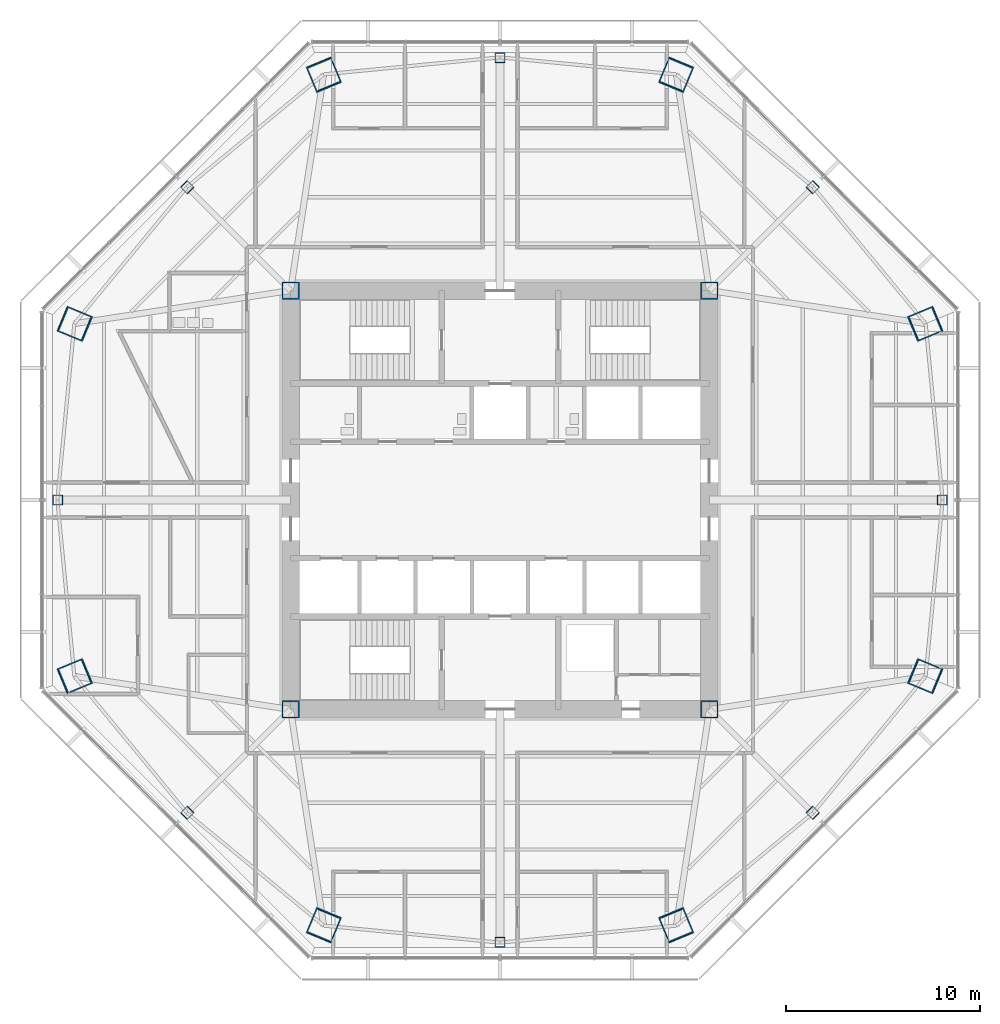
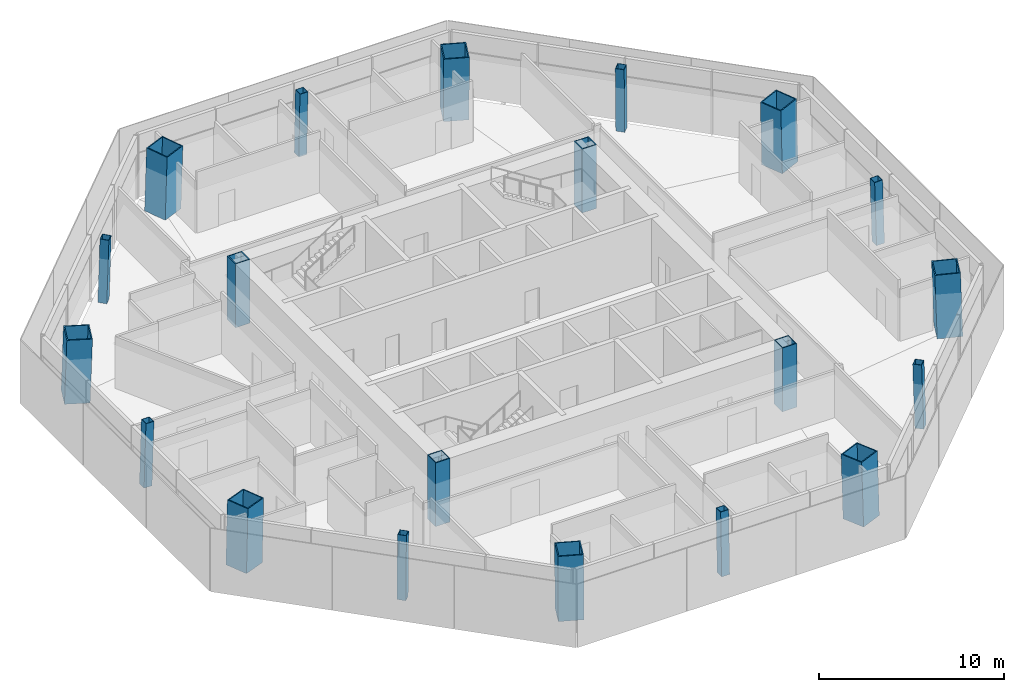
# One storey, part 1 of 15: 20 columns.
"""IFC4 building model written with IfcOpenShell, lengths in metres."""

from ifc_helpers import new_model, si_unit, direction, frame, origin, origin_2d, place, context, subcontext, project, spatial, hollow_rectangle, extrude, material, material_profile, profile_set, type_object, element, save


model = new_model("IFC4")

# Units and contexts
model_context = context("Model", 3, precision=1e-05, world=origin(), true_north=direction((0.0, 1.0)))
body_context = subcontext(model_context, "Body", "Model", "MODEL_VIEW")
ifc_project = project(units=[si_unit("LENGTHUNIT", "METRE"), si_unit("AREAUNIT", "SQUARE_METRE"), si_unit("VOLUMEUNIT", "CUBIC_METRE"), si_unit("PLANEANGLEUNIT", "RADIAN"), si_unit("MASSUNIT", "GRAM", prefix="KILO")], contexts=[model_context])

# Site, building, storey
site_placement = place(None, origin())
site = spatial("IfcSite", under=ifc_project, at=site_placement, CompositionType="ELEMENT")
building_placement = place(site_placement, origin())
building = spatial("IfcBuilding", under=site, at=building_placement, Name="Mashrafa Tower", CompositionType="ELEMENT")
storey_placement = place(building_placement, frame((0.0, 0.0, 155.39990234375)))
storey = spatial("IfcBuildingStorey", under=building, at=storey_placement, Name="L35", CompositionType="ELEMENT", Elevation=155.39990234375)

# Columns
ifc_material_1 = material(Name="Steel ASTM A572 Gr 50", Category="steel")
ifc_material_profile_1 = material_profile(ifc_material_1, hollow_rectangle(XDim=0.89990234375, YDim=0.89990234375, WallThickness=0.06005859375, at=origin_2d()), Name="BOX900X900X60")
ifc_profile_set_1 = profile_set([ifc_material_profile_1], Name="Steel ASTM A572 Gr 50")
column_type_1 = type_object("IfcColumnType", Name="Core corner column BOX900X900X60", PredefinedType="COLUMN", material=ifc_profile_set_1)
for number, where, z_axis, x_axis, name in (
    (1, (10.800048828125, 10.800048828125, 0.0), (0.0, 0.0, 1.0), (1.0, 0.0, 0.0), "Core corner column CC-NE L35"),
    (2, (-10.800048828125, 10.800048828125, 0.0), (0.0, 0.0, 1.0), (1.0, 0.0, 0.0), "Core corner column CC-NW L35"),
    (3, (-10.800048828125, -10.800048828125, 0.0), (0.0, 0.0, 1.0), (1.0, 0.0, 0.0), "Core corner column CC-SW L35"),
    (4, (10.800048828125, -10.800048828125, 0.0), (0.0, 0.0, 1.0), (1.0, 0.0, 0.0), "Core corner column CC-SE L35"),
):
    element("IfcColumn", number, at=place(storey_placement, frame(where, z_axis=z_axis, x_axis=x_axis)), inside=storey, type_object=column_type_1, Name=name, PredefinedType="COLUMN", context=body_context, shape_type="SweptSolid", body=[
        extrude(hollow_rectangle(XDim=0.89990234375, YDim=0.89990234375, WallThickness=0.06005859375, at=origin_2d()), origin(), (0.0, 0.0, 1.0), 4.2001953125),
    ])
ifc_material_2 = material(Name="Steel ASTM A572 Gr 50", Category="steel")
ifc_material_profile_2 = material_profile(ifc_material_2, hollow_rectangle(XDim=1.39990234375, YDim=1.39990234375, WallThickness=0.06494140625, at=origin_2d()), Name="BOX1400X1400X65")
ifc_profile_set_2 = profile_set([ifc_material_profile_2], Name="Steel ASTM A572 Gr 50")
column_type_2 = type_object("IfcColumnType", Name="Mega column CFST BOX1400X1400X65", PredefinedType="COLUMN", material=ifc_profile_set_2)
for number, where, z_axis, x_axis, name in (
    (5, (21.9404296875, 9.088134765625, 0.0), (-0.028294087032, -0.011735945751, 0.999530746009), (0.383133442967, -0.923693003589, 0.0), "Mega column MC1 L35"),
    (6, (9.088134765625, 21.9404296875, 0.0), (-0.011735945751, -0.028294087032, 0.999530746009), (0.923693003589, -0.383133442967, 0.0), "Mega column MC2 L35"),
    (7, (-9.088134765625, 21.9404296875, 0.0), (0.011735945751, -0.028294087032, 0.999530746009), (0.923693003589, 0.383133442967, 0.0), "Mega column MC3 L35"),
    (8, (-21.9404296875, 9.088134765625, 0.0), (0.028294087032, -0.011735945751, 0.999530746009), (0.383133442967, 0.923693003589, 0.0), "Mega column MC4 L35"),
    (9, (-21.9404296875, -9.088134765625, 0.0), (0.028294087032, 0.011735945751, 0.999530746009), (-0.383133442967, 0.923693003589, 0.0), "Mega column MC5 L35"),
    (10, (-9.088134765625, -21.9404296875, 0.0), (0.011735945751, 0.028294087032, 0.999530746009), (-0.923693003589, 0.383133442967, 0.0), "Mega column MC6 L35"),
    (11, (9.088134765625, -21.9404296875, 0.0), (-0.011735945751, 0.028294087032, 0.999530746009), (-0.923693003589, -0.383133442967, 0.0), "Mega column MC7 L35"),
    (12, (21.9404296875, -9.088134765625, 0.0), (-0.028294087032, 0.011735945751, 0.999530746009), (-0.383133442967, -0.923693003589, 0.0), "Mega column MC8 L35"),
):
    element("IfcColumn", number, at=place(storey_placement, frame(where, z_axis=z_axis, x_axis=x_axis)), inside=storey, type_object=column_type_2, Name=name, PredefinedType="COLUMN", context=body_context, shape_type="SweptSolid", body=[
        extrude(hollow_rectangle(XDim=1.39990234375, YDim=1.39990234375, WallThickness=0.06494140625, at=origin_2d()), origin(), (0.0, 0.0, 1.0), 4.2021484375),
    ])
ifc_material_3 = material(Name="Steel ASTM A572 Gr 50", Category="steel")
ifc_material_profile_3 = material_profile(ifc_material_3, hollow_rectangle(XDim=0.5, YDim=0.5, WallThickness=0.02490234375, at=origin_2d()), Name="BOX500X500X25")
ifc_profile_set_3 = profile_set([ifc_material_profile_3], Name="Steel ASTM A572 Gr 50")
column_type_3 = type_object("IfcColumnType", Name="Secondary column BOX500X500X25", PredefinedType="COLUMN", material=ifc_profile_set_3)
for number, where, z_axis, x_axis, name in (
    (13, (22.818603515625, 0.0, 0.0), (-0.028237979375, 0.0, 0.999601228751), (0.0, -1.0, 0.0), "Secondary column SC1 L35"),
    (14, (16.13525390625, 16.13525390625, 0.0), (-0.019987360289, -0.019987360289, 0.999600425599), (0.707106781187, -0.707106781187, 0.0), "Secondary column SC2 L35"),
    (15, (0.0, 22.818603515625, 0.0), (0.0, -0.028237979375, 0.999601228751), (1.0, 0.0, 0.0), "Secondary column SC3 L35"),
    (16, (-16.13525390625, 16.13525390625, 0.0), (0.019987360289, -0.019987360289, 0.999600425599), (0.707106781187, 0.707106781187, 0.0), "Secondary column SC4 L35"),
    (17, (-22.818603515625, 0.0, 0.0), (0.028237979375, 0.0, 0.999601228751), (0.0, 1.0, 0.0), "Secondary column SC5 L35"),
    (18, (-16.13525390625, -16.13525390625, 0.0), (0.019987360289, 0.019987360289, 0.999600425599), (-0.707106781187, 0.707106781187, 0.0), "Secondary column SC6 L35"),
    (19, (0.0, -22.818603515625, 0.0), (0.0, 0.028237979375, 0.999601228751), (-1.0, 0.0, 0.0), "Secondary column SC7 L35"),
    (20, (16.13525390625, -16.13525390625, 0.0), (-0.019987360289, 0.019987360289, 0.999600425599), (-0.707106781187, -0.707106781187, 0.0), "Secondary column SC8 L35"),
):
    element("IfcColumn", number, at=place(storey_placement, frame(where, z_axis=z_axis, x_axis=x_axis)), inside=storey, type_object=column_type_3, Name=name, PredefinedType="COLUMN", context=body_context, shape_type="SweptSolid", body=[
        extrude(hollow_rectangle(XDim=0.5, YDim=0.5, WallThickness=0.02490234375, at=origin_2d()), origin(), (0.0, 0.0, 1.0), 4.201904296875),
    ])

save(model, "model.ifc")
